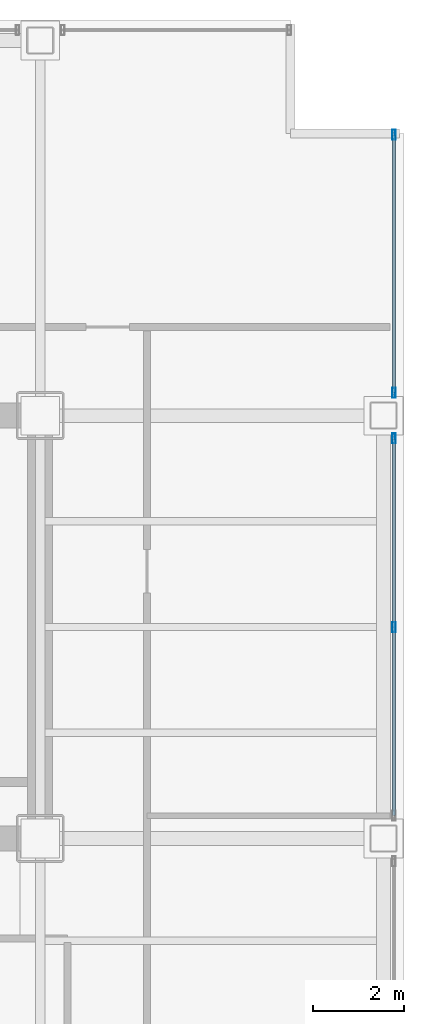
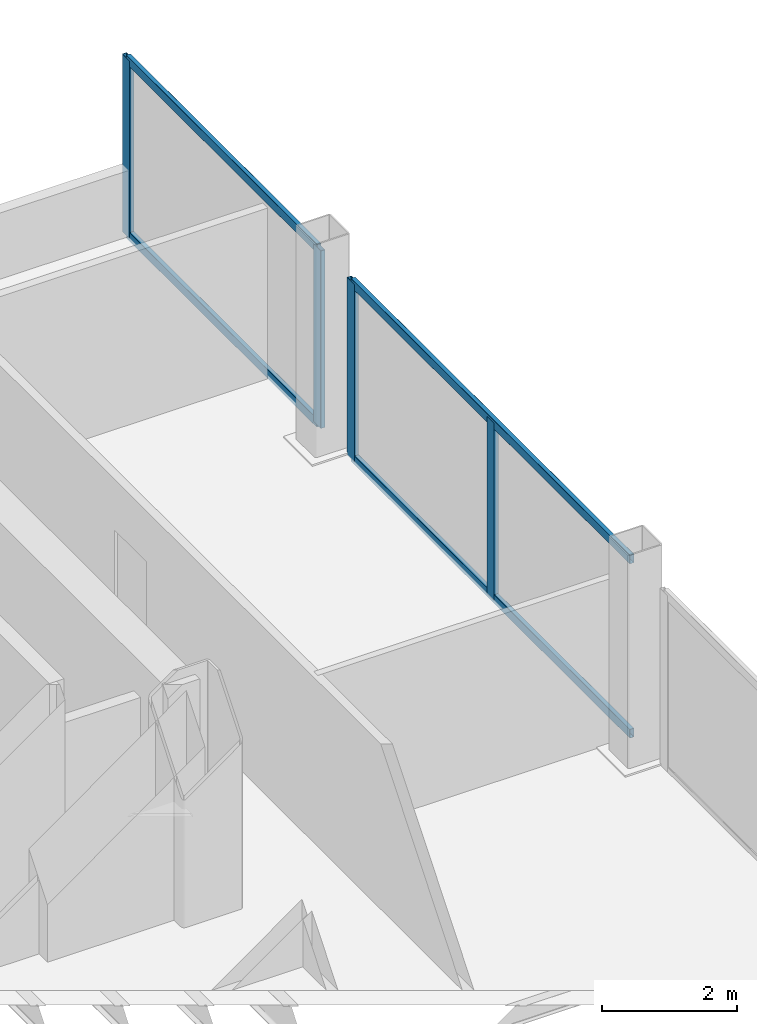
# One storey, part 13 of 21: 8 members, 2 elements without a shape of their own.
"""IFC4 building model written with IfcOpenShell, lengths in metres."""

from ifc_helpers import new_model, si_unit, direction, frame, origin, origin_2d, place, context, subcontext, project, spatial, hollow_rectangle, extrude, material, material_profile, profile_set, type_object, element, aggregate, save


model = new_model("IFC4")

# Units and contexts
model_context = context("Model", 3, precision=1e-05, world=origin(), true_north=direction((0.0, 1.0)))
body_context = subcontext(model_context, "Body", "Model", "MODEL_VIEW")
ifc_project = project(units=[si_unit("LENGTHUNIT", "METRE"), si_unit("AREAUNIT", "SQUARE_METRE"), si_unit("VOLUMEUNIT", "CUBIC_METRE"), si_unit("PLANEANGLEUNIT", "RADIAN"), si_unit("MASSUNIT", "GRAM", prefix="KILO")], contexts=[model_context])

# Site, building, storey
site_placement = place(None, origin())
site = spatial("IfcSite", under=ifc_project, at=site_placement, CompositionType="ELEMENT")
building_placement = place(site_placement, origin())
building = spatial("IfcBuilding", under=site, at=building_placement, Name="Noeulbin Bourse Tower", CompositionType="ELEMENT")
storey_placement = place(building_placement, frame((0.0, 0.0, 42.10009765625)))
storey = spatial("IfcBuildingStorey", under=building, at=storey_placement, Name="L10", CompositionType="ELEMENT", Elevation=42.10009765625)

# Curtain wall, members
ifc_material_1 = material(Name="Dark Solar-Control Double Glazing", Category="glass")
curtain_wall_type = type_object("IfcCurtainWallType", Name="CW-SYS-2", PredefinedType="NOTDEFINED", material=ifc_material_1)
curtain_wall_1_placement = place(storey_placement, origin())
curtain_wall_1 = element("IfcCurtainWall", 1, at=curtain_wall_1_placement, inside=storey, type_object=curtain_wall_type, Name="Unitised Curtain Wall CW-L10-E-S3", PredefinedType="NOTDEFINED")
ifc_material_2 = material(Name="Anodised Aluminium 6063-T6", Category="aluminium")
ifc_material_profile_1 = material_profile(ifc_material_2, hollow_rectangle(XDim=0.074951171875, YDim=0.219970703125, WallThickness=0.0048828125, InnerFilletRadius=0.00244140625, OuterFilletRadius=0.0048828125, at=origin_2d()), Name="ALU-MULL-75x220x5", Category="LoadBearing")
ifc_profile_set_1 = profile_set([ifc_material_profile_1], Name="Anodised Aluminium 6063-T6")
member_type_1 = type_object("IfcMemberType", Name="CW-SYS-2-MUL", PredefinedType="MULLION", material=ifc_profile_set_1)
member_1_placement = place(storey_placement, frame((51.780029296875, 33.64990234375, -0.02001953125), z_axis=(0.0, 0.0, 1.0), x_axis=(1.0, 0.0, 0.0)))
member_1 = element("IfcMember", 2, at=member_1_placement, type_object=member_type_1, Name="Curtain Wall Mullion CW-L10-E-S3-M01", PredefinedType="MULLION", context=body_context, shape_type="SweptSolid", body=[
    extrude(hollow_rectangle(XDim=0.074951171875, YDim=0.219970703125, WallThickness=0.0048828125, InnerFilletRadius=0.00244140625, OuterFilletRadius=0.0048828125, at=origin_2d()), origin(), (0.0, 0.0, 1.0), 3.219970703125),
])
member_2_placement = place(storey_placement, frame((51.780029296875, 37.800048828125, -0.02001953125), z_axis=(0.0, 0.0, 1.0), x_axis=(1.0, 0.0, 0.0)))
member_2 = element("IfcMember", 3, at=member_2_placement, type_object=member_type_1, Name="Curtain Wall Mullion CW-L10-E-S3-M02", PredefinedType="MULLION", context=body_context, shape_type="SweptSolid", body=[
    extrude(hollow_rectangle(XDim=0.074951171875, YDim=0.219970703125, WallThickness=0.0048828125, InnerFilletRadius=0.00244140625, OuterFilletRadius=0.0048828125, at=origin_2d()), origin(), (0.0, 0.0, 1.0), 3.219970703125),
])

curtain_wall_2_placement = place(storey_placement, origin())
curtain_wall_2 = element("IfcCurtainWall", 4, at=curtain_wall_2_placement, inside=storey, type_object=curtain_wall_type, Name="Unitised Curtain Wall CW-L10-E-S4", PredefinedType="NOTDEFINED")
member_3_placement = place(storey_placement, frame((51.780029296875, 38.800048828125, -0.02001953125), z_axis=(0.0, 0.0, 1.0), x_axis=(1.0, 0.0, 0.0)))
member_3 = element("IfcMember", 5, at=member_3_placement, type_object=member_type_1, Name="Curtain Wall Mullion CW-L10-E-S4-M00", PredefinedType="MULLION", context=body_context, shape_type="SweptSolid", body=[
    extrude(hollow_rectangle(XDim=0.074951171875, YDim=0.219970703125, WallThickness=0.0048828125, InnerFilletRadius=0.00244140625, OuterFilletRadius=0.0048828125, at=origin_2d()), origin(), (0.0, 0.0, 1.0), 3.219970703125),
])
member_4_placement = place(storey_placement, frame((51.780029296875, 44.47998046875, -0.02001953125), z_axis=(0.0, 0.0, 1.0), x_axis=(1.0, 0.0, 0.0)))
member_4 = element("IfcMember", 6, at=member_4_placement, type_object=member_type_1, Name="Curtain Wall Mullion CW-L10-E-S4-M01", PredefinedType="MULLION", context=body_context, shape_type="SweptSolid", body=[
    extrude(hollow_rectangle(XDim=0.074951171875, YDim=0.219970703125, WallThickness=0.0048828125, InnerFilletRadius=0.00244140625, OuterFilletRadius=0.0048828125, at=origin_2d()), origin(), (0.0, 0.0, 1.0), 3.219970703125),
])

# Member
ifc_material_profile_2 = material_profile(ifc_material_2, hollow_rectangle(XDim=0.074951171875, YDim=0.159912109375, WallThickness=0.0048828125, InnerFilletRadius=0.00244140625, OuterFilletRadius=0.0048828125, at=origin_2d()), Name="ALU-TRAN-75x160x5", Category="LoadBearing")
ifc_profile_set_2 = profile_set([ifc_material_profile_2], Name="Anodised Aluminium 6063-T6")
member_type_2 = type_object("IfcMemberType", Name="CW-SYS-2-TRN", PredefinedType="USERDEFINED", material=ifc_profile_set_2)
member_5_placement = place(storey_placement, frame((51.780029296875, 29.510009765625, 0.010009765625), z_axis=(0.0, 1.0, 0.0), x_axis=(-1.0, 0.0, 0.0)))
member_5 = element("IfcMember", 7, at=member_5_placement, type_object=member_type_2, Name="Curtain Wall Transom CW-L10-E-S3-T00", ObjectType="TRANSOM", PredefinedType="USERDEFINED", context=body_context, shape_type="SweptSolid", body=[
    extrude(hollow_rectangle(XDim=0.074951171875, YDim=0.159912109375, WallThickness=0.0048828125, InnerFilletRadius=0.00244140625, OuterFilletRadius=0.0048828125, at=origin_2d()), origin(), (0.0, 0.0, 1.0), 8.280029296875),
])

member_6_placement = place(storey_placement, frame((51.780029296875, 29.510009765625, 3.169921875), z_axis=(0.0, 1.0, 0.0), x_axis=(-1.0, 0.0, 0.0)))
member_6 = element("IfcMember", 8, at=member_6_placement, type_object=member_type_2, Name="Curtain Wall Transom CW-L10-E-S3-T01", ObjectType="TRANSOM", PredefinedType="USERDEFINED", context=body_context, shape_type="SweptSolid", body=[
    extrude(hollow_rectangle(XDim=0.074951171875, YDim=0.159912109375, WallThickness=0.0048828125, InnerFilletRadius=0.00244140625, OuterFilletRadius=0.0048828125, at=origin_2d()), origin(), (0.0, 0.0, 1.0), 8.280029296875),
])

aggregate(curtain_wall_1, [member_1, member_2, member_5, member_6])

member_7_placement = place(storey_placement, frame((51.780029296875, 38.81005859375, 0.010009765625), z_axis=(0.0, 1.0, 0.0), x_axis=(-1.0, 0.0, 0.0)))
member_7 = element("IfcMember", 9, at=member_7_placement, type_object=member_type_2, Name="Curtain Wall Transom CW-L10-E-S4-T00", ObjectType="TRANSOM", PredefinedType="USERDEFINED", context=body_context, shape_type="SweptSolid", body=[
    extrude(hollow_rectangle(XDim=0.074951171875, YDim=0.159912109375, WallThickness=0.0048828125, InnerFilletRadius=0.00244140625, OuterFilletRadius=0.0048828125, at=origin_2d()), origin(), (0.0, 0.0, 1.0), 5.659912109375),
])

member_8_placement = place(storey_placement, frame((51.780029296875, 38.81005859375, 3.169921875), z_axis=(0.0, 1.0, 0.0), x_axis=(-1.0, 0.0, 0.0)))
member_8 = element("IfcMember", 10, at=member_8_placement, type_object=member_type_2, Name="Curtain Wall Transom CW-L10-E-S4-T01", ObjectType="TRANSOM", PredefinedType="USERDEFINED", context=body_context, shape_type="SweptSolid", body=[
    extrude(hollow_rectangle(XDim=0.074951171875, YDim=0.159912109375, WallThickness=0.0048828125, InnerFilletRadius=0.00244140625, OuterFilletRadius=0.0048828125, at=origin_2d()), origin(), (0.0, 0.0, 1.0), 5.659912109375),
])

aggregate(curtain_wall_2, [member_3, member_4, member_7, member_8])

save(model, "model.ifc")
